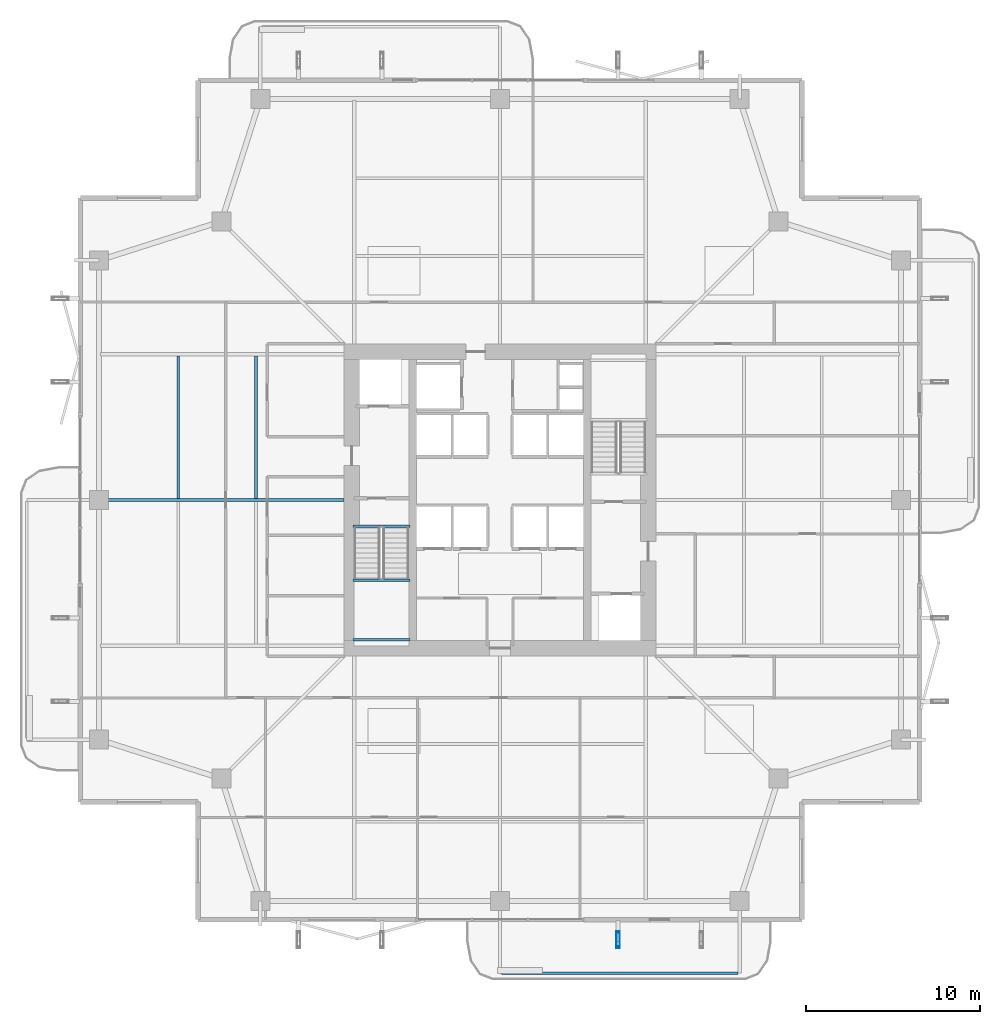
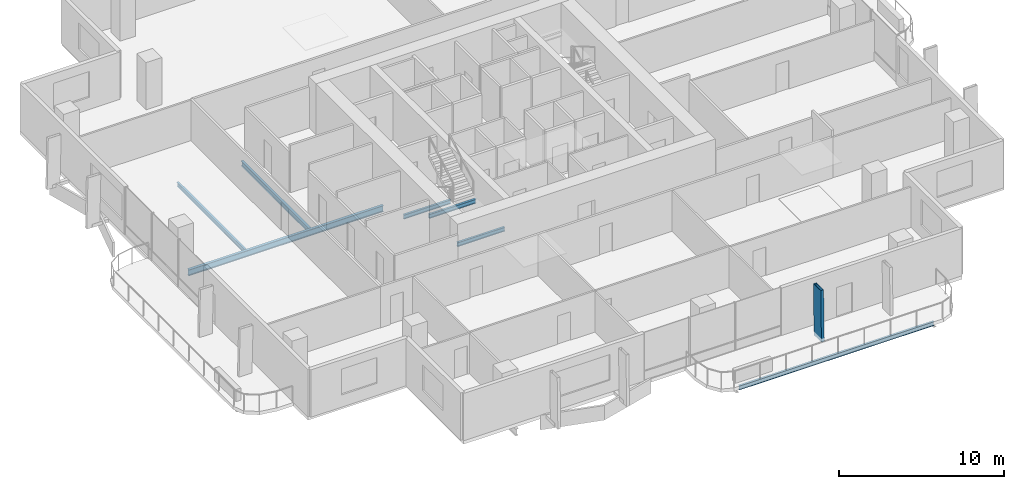
# One storey, part 7 of 24: 7 beams, 1 member.
"""IFC4 building model written with IfcOpenShell, lengths in metres."""

from ifc_helpers import new_model, si_unit, direction, frame, origin, origin_2d, place, context, subcontext, project, spatial, hollow_rectangle, i_section, extrude, material, material_profile, profile_set, type_object, element, save


model = new_model("IFC4")

# Units and contexts
model_context = context("Model", 3, precision=1e-05, world=origin(), true_north=direction((0.0, 1.0)))
body_context = subcontext(model_context, "Body", "Model", "MODEL_VIEW")
ifc_project = project(units=[si_unit("LENGTHUNIT", "METRE"), si_unit("AREAUNIT", "SQUARE_METRE"), si_unit("VOLUMEUNIT", "CUBIC_METRE"), si_unit("PLANEANGLEUNIT", "RADIAN"), si_unit("MASSUNIT", "GRAM", prefix="KILO")], contexts=[model_context])

# Site, building, storey
site_placement = place(None, origin())
site = spatial("IfcSite", under=ifc_project, at=site_placement, CompositionType="ELEMENT")
building_placement = place(site_placement, origin())
building = spatial("IfcBuilding", under=site, at=building_placement, Name="Belovzor Exchange Tower", CompositionType="ELEMENT")
storey_placement = place(building_placement, frame((0.0, 0.0, 168.300048828125)))
storey = spatial("IfcBuildingStorey", under=building, at=storey_placement, Name="L41", CompositionType="ELEMENT", Elevation=168.300048828125)

# Beams
ifc_material_1 = material(Name="Steel S355", Category="steel")
ifc_material_profile_1 = material_profile(ifc_material_1, i_section(OverallWidth=0.14990234375, OverallDepth=0.300048828125, WebThickness=0.007080078125, FlangeThickness=0.0107421875, at=origin_2d()))
ifc_profile_set_1 = profile_set([ifc_material_profile_1], Name="Steel S355")
beam_type_1 = type_object("IfcBeamType", Name="Planted Balcony Fascia Edge Beam IPE 300", PredefinedType="BEAM", material=ifc_profile_set_1)
beam_1_placement = place(storey_placement, frame((28.89990234375, 1.547119140625, -0.405029296875), z_axis=(1.0, 0.0, 0.0), x_axis=(0.0, 1.0, 0.0)))
element("IfcBeam", 1, at=beam_1_placement, inside=storey, type_object=beam_type_1, Name="BC-300 Planted Balcony Fascia Edge Beam IPE 300", PredefinedType="BEAM", context=body_context, shape_type="SweptSolid", body=[
    extrude(i_section(OverallWidth=0.14990234375, OverallDepth=0.300048828125, WebThickness=0.007080078125, FlangeThickness=0.0107421875, at=origin_2d()), origin(), (0.0, 0.0, 1.0), 13.60009765625),
])
ifc_material_2 = material(Name="Steel S355", Category="steel")
ifc_material_profile_2 = material_profile(ifc_material_2, i_section(OverallWidth=0.169921875, OverallDepth=0.360107421875, WebThickness=0.008056640625, FlangeThickness=0.0126953125, at=origin_2d()))
ifc_profile_set_2 = profile_set([ifc_material_profile_2], Name="Steel S355")
beam_type_2 = type_object("IfcBeamType", Name="Secondary Infill Floor Joist IPE 360", PredefinedType="BEAM", material=ifc_profile_set_2)
beam_2_placement = place(storey_placement, frame((14.7509765625, 28.89501953125, -0.43505859375), z_axis=(0.0, 1.0, 0.0), x_axis=(-1.0, 0.0, 0.0)))
element("IfcBeam", 2, at=beam_2_placement, inside=storey, type_object=beam_type_2, Name="FJ-360 Secondary Infill Floor Joist IPE 360", PredefinedType="BEAM", context=body_context, shape_type="SweptSolid", body=[
    extrude(i_section(OverallWidth=0.169921875, OverallDepth=0.360107421875, WebThickness=0.008056640625, FlangeThickness=0.0126953125, at=origin_2d()), origin(), (0.0, 0.0, 1.0), 8.2099609375),
])
ifc_material_3 = material(Name="Steel S355", Category="steel")
ifc_material_profile_3 = material_profile(ifc_material_3, i_section(OverallWidth=0.14990234375, OverallDepth=0.300048828125, WebThickness=0.007080078125, FlangeThickness=0.0107421875, at=origin_2d()))
ifc_profile_set_3 = profile_set([ifc_material_profile_3], Name="Steel S355")
beam_type_3 = type_object("IfcBeamType", Name="Secondary Trim Floor Joist IPE 300", PredefinedType="BEAM", material=ifc_profile_set_3)
for number, where, z_axis, x_axis, name in (
    (3, (20.320068359375, 24.179931640625, 1.52490234375), (1.0, 0.0, 0.0), (0.0, 1.0, 0.0), "FJ-300 Secondary Trim Floor Joist IPE 300"),
    (4, (20.320068359375, 20.75, 1.52490234375), (1.0, 0.0, 0.0), (0.0, 1.0, 0.0), "FJ-300 Secondary Trim Floor Joist IPE 300"),
):
    element("IfcBeam", number, at=place(storey_placement, frame(where, z_axis=z_axis, x_axis=x_axis)), inside=storey, type_object=beam_type_3, Name=name, PredefinedType="BEAM", context=body_context, shape_type="SweptSolid", body=[
        extrude(i_section(OverallWidth=0.14990234375, OverallDepth=0.300048828125, WebThickness=0.007080078125, FlangeThickness=0.0107421875, at=origin_2d()), origin(), (0.0, 0.0, 1.0), 3.309814453125),
    ])
beam_3_placement = place(storey_placement, frame((20.340087890625, 27.280029296875, -0.405029296875), z_axis=(1.0, 0.0, 0.0), x_axis=(0.0, 1.0, 0.0)))
element("IfcBeam", 5, at=beam_3_placement, inside=storey, type_object=beam_type_3, Name="FJ-300 Secondary Trim Floor Joist IPE 300", PredefinedType="BEAM", context=body_context, shape_type="SweptSolid", body=[
    extrude(i_section(OverallWidth=0.14990234375, OverallDepth=0.300048828125, WebThickness=0.007080078125, FlangeThickness=0.0107421875, at=origin_2d()), origin(), (0.0, 0.0, 1.0), 3.27001953125),
])
beam_4_placement = place(storey_placement, frame((10.262939453125, 28.89501953125, -0.405029296875), z_axis=(0.0, 1.0, 0.0), x_axis=(-1.0, 0.0, 0.0)))
element("IfcBeam", 6, at=beam_4_placement, inside=storey, type_object=beam_type_3, Name="FJ-300 Secondary Trim Floor Joist IPE 300", PredefinedType="BEAM", context=body_context, shape_type="SweptSolid", body=[
    extrude(i_section(OverallWidth=0.14990234375, OverallDepth=0.300048828125, WebThickness=0.007080078125, FlangeThickness=0.0107421875, at=origin_2d()), origin(), (0.0, 0.0, 1.0), 8.2099609375),
])

# Member
ifc_material_4 = material(Name="Extruded Architectural Terracotta on Steel S355 Carrier", Category="masonry")
ifc_material_profile_4 = material_profile(ifc_material_4, hollow_rectangle(XDim=0.199951171875, YDim=0.89990234375, WallThickness=0.011962890625, at=origin_2d()))
ifc_profile_set_4 = profile_set([ifc_material_profile_4], Name="Extruded Architectural Terracotta on Steel S355 Carrier")
member_type = type_object("IfcMemberType", Name="Sweeping Terracotta Baguette Fin Assembly 1250", PredefinedType="USERDEFINED", material=ifc_profile_set_4)
member_placement = place(storey_placement, frame((35.60009765625, 3.43994140625, -0.255126953125), z_axis=(0.0, 0.021089058773, 0.999777601069), x_axis=(-1.0, 0.0, 0.0)))
element("IfcMember", 7, at=member_placement, inside=storey, type_object=member_type, Name="FIN-TC125 Terracotta Facade Fin L41 S3", ObjectType="FIN", PredefinedType="USERDEFINED", context=body_context, shape_type="SweptSolid", body=[
    extrude(hollow_rectangle(XDim=0.199951171875, YDim=0.89990234375, WallThickness=0.011962890625, at=origin_2d()), origin(), (0.0, 0.0, 1.0), 3.750732421875),
])

# Beam
ifc_material_5 = material(Name="Steel S355", Category="steel")
ifc_material_profile_5 = material_profile(ifc_material_5, i_section(OverallWidth=0.18994140625, OverallDepth=0.449951171875, WebThickness=0.009521484375, FlangeThickness=0.0146484375, at=origin_2d()))
ifc_profile_set_5 = profile_set([ifc_material_profile_5], Name="Steel S355")
beam_type_4 = type_object("IfcBeamType", Name="Zone 2-4 Radial Composite Floor Beam IPE 450", PredefinedType="BEAM", material=ifc_profile_set_5)
beam_5_placement = place(storey_placement, frame((19.800048828125, 28.800048828125, -0.47998046875), z_axis=(-1.0, 0.0, 0.0), x_axis=(0.0, -1.0, 0.0)))
element("IfcBeam", 8, at=beam_5_placement, inside=storey, type_object=beam_type_4, Name="FB-450 Zone 2-4 Radial Composite Floor Beam IPE 450", PredefinedType="BEAM", context=body_context, shape_type="SweptSolid", body=[
    extrude(i_section(OverallWidth=0.18994140625, OverallDepth=0.449951171875, WebThickness=0.009521484375, FlangeThickness=0.0146484375, at=origin_2d()), origin(), (0.0, 0.0, 1.0), 13.615966796875),
])

save(model, "model.ifc")
